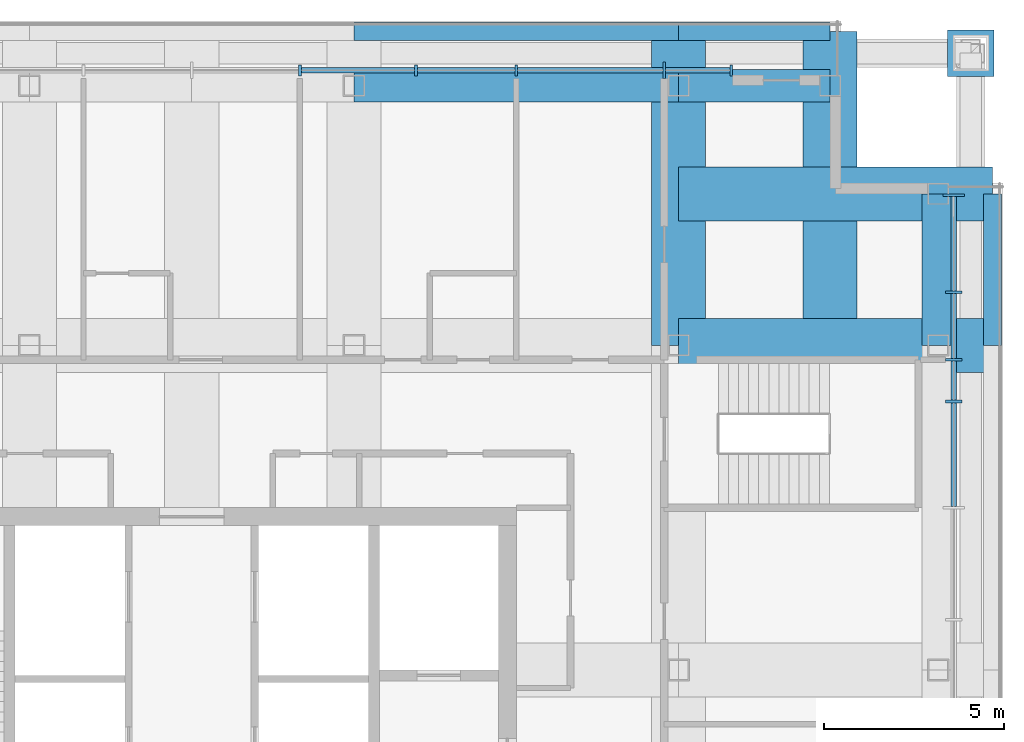
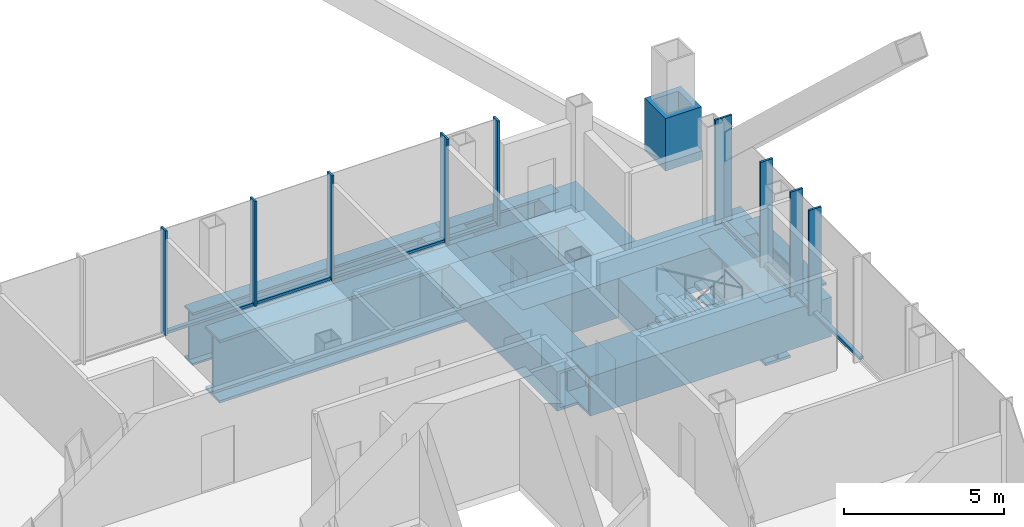
# One storey, part 10 of 19: 18 members, 10 beams, 2 elements without a shape of their own.
"""IFC4 building model written with IfcOpenShell, lengths in metres."""

from ifc_helpers import new_model, si_unit, direction, frame, origin, origin_2d, place, context, subcontext, project, spatial, rectangle, hollow_rectangle, i_section, extrude, material, layer, layer_set, material_profile, profile_set, type_object, element, aggregate, save


model = new_model("IFC4")

# Units and contexts
model_context = context("Model", 3, precision=1e-05, world=origin(), true_north=direction((0.0, 1.0)))
body_context = subcontext(model_context, "Body", "Model", "MODEL_VIEW")
ifc_project = project(units=[si_unit("LENGTHUNIT", "METRE"), si_unit("AREAUNIT", "SQUARE_METRE"), si_unit("VOLUMEUNIT", "CUBIC_METRE"), si_unit("PLANEANGLEUNIT", "RADIAN"), si_unit("MASSUNIT", "GRAM", prefix="KILO")], contexts=[model_context])

# Site, building, storey
site_placement = place(None, origin())
site = spatial("IfcSite", under=ifc_project, at=site_placement, CompositionType="ELEMENT")
building_placement = place(site_placement, origin())
building = spatial("IfcBuilding", under=site, at=building_placement, Name="Malebo Sky Hospital", CompositionType="ELEMENT")
storey_placement = place(building_placement, frame((0.0, 0.0, 250.0)))
storey = spatial("IfcBuildingStorey", under=building, at=storey_placement, Name="L60", CompositionType="ELEMENT", Elevation=250.0)

# Curtain wall, members
ifc_material_1 = material(Name="Anodised aluminium, natural silver", Category="aluminium")
ifc_layer_1 = layer(ifc_material_1, 0.25)
ifc_layer_set_1 = layer_set([ifc_layer_1], Name="WARD CURTAIN WALL NORTH AND SOUTH")
curtain_wall_type_1 = type_object("IfcCurtainWallType", Name="WARD CURTAIN WALL NORTH AND SOUTH", PredefinedType="NOTDEFINED", material=ifc_layer_set_1)
curtain_wall_1_placement = place(storey_placement, origin())
curtain_wall_1 = element("IfcCurtainWall", 1, at=curtain_wall_1_placement, inside=storey, type_object=curtain_wall_type_1, Name="NS curtain wall N", PredefinedType="NOTDEFINED")
ifc_material_profile_1 = material_profile(ifc_material_1, rectangle(XDim=0.14990234375, YDim=0.10009765625, at=origin_2d()), Name="ALUMINIUM TRANSOM 150x100")
ifc_profile_set_1 = profile_set([ifc_material_profile_1], Name="Anodised aluminium, natural silver")
member_type_1 = type_object("IfcMemberType", Name="ALUMINIUM TRANSOM 150x100", PredefinedType="USERDEFINED", material=ifc_profile_set_1)
member_1_placement = place(storey_placement, frame((63.03759765625, 83.125, 0.050048828125), z_axis=(1.0, 0.0, 0.0), x_axis=(0.0, 1.0, 0.0)))
member_1 = element("IfcMember", 2, at=member_1_placement, type_object=member_type_1, Name="Transom 10", ObjectType="TRANSOM", PredefinedType="USERDEFINED", context=body_context, shape_type="SweptSolid", body=[
    extrude(rectangle(XDim=0.14990234375, YDim=0.10009765625, at=origin_2d()), origin(), (0.0, 0.0, 1.0), 3.14306640625),
])
member_2_placement = place(storey_placement, frame((66.255615234375, 83.125, 0.050048828125), z_axis=(1.0, 0.0, 0.0), x_axis=(0.0, 1.0, 0.0)))
member_2 = element("IfcMember", 3, at=member_2_placement, type_object=member_type_1, Name="Transom 11", ObjectType="TRANSOM", PredefinedType="USERDEFINED", context=body_context, shape_type="SweptSolid", body=[
    extrude(rectangle(XDim=0.14990234375, YDim=0.10009765625, at=origin_2d()), origin(), (0.0, 0.0, 1.0), 2.706787109375),
])
member_3_placement = place(storey_placement, frame((69.03759765625, 83.125, 0.050048828125), z_axis=(1.0, 0.0, 0.0), x_axis=(0.0, 1.0, 0.0)))
member_3 = element("IfcMember", 4, at=member_3_placement, type_object=member_type_1, Name="Transom 12", ObjectType="TRANSOM", PredefinedType="USERDEFINED", context=body_context, shape_type="SweptSolid", body=[
    extrude(rectangle(XDim=0.14990234375, YDim=0.10009765625, at=origin_2d()), origin(), (0.0, 0.0, 1.0), 4.02490234375),
])
member_4_placement = place(storey_placement, frame((73.137451171875, 83.125, 0.050048828125), z_axis=(1.0, 0.0, 0.0), x_axis=(0.0, 1.0, 0.0)))
member_4 = element("IfcMember", 5, at=member_4_placement, type_object=member_type_1, Name="Transom 13", ObjectType="TRANSOM", PredefinedType="USERDEFINED", context=body_context, shape_type="SweptSolid", body=[
    extrude(rectangle(XDim=0.14990234375, YDim=0.10009765625, at=origin_2d()), origin(), (0.0, 0.0, 1.0), 1.78759765625),
])

ifc_layer_2 = layer(ifc_material_1, 0.25)
ifc_layer_set_2 = layer_set([ifc_layer_2], Name="WARD CURTAIN WALL EAST AND WEST")
curtain_wall_type_2 = type_object("IfcCurtainWallType", Name="WARD CURTAIN WALL EAST AND WEST", PredefinedType="NOTDEFINED", material=ifc_layer_set_2)
curtain_wall_2_placement = place(storey_placement, origin())
curtain_wall_2 = element("IfcCurtainWall", 6, at=curtain_wall_2_placement, inside=storey, type_object=curtain_wall_type_2, Name="EW curtain wall E", PredefinedType="NOTDEFINED")
member_5_placement = place(storey_placement, frame((81.125, 79.625, 0.050048828125), z_axis=(0.0, -1.0, 0.0), x_axis=(1.0, 0.0, 0.0)))
member_5 = element("IfcMember", 7, at=member_5_placement, type_object=member_type_1, Name="Transom 1", ObjectType="TRANSOM", PredefinedType="USERDEFINED", context=body_context, shape_type="SweptSolid", body=[
    extrude(rectangle(XDim=0.14990234375, YDim=0.10009765625, at=origin_2d()), origin(), (0.0, 0.0, 1.0), 2.61474609375),
])
member_6_placement = place(storey_placement, frame((81.125, 76.935302734375, 0.050048828125), z_axis=(0.0, -1.0, 0.0), x_axis=(1.0, 0.0, 0.0)))
member_6 = element("IfcMember", 8, at=member_6_placement, type_object=member_type_1, Name="Transom 2", ObjectType="TRANSOM", PredefinedType="USERDEFINED", context=body_context, shape_type="SweptSolid", body=[
    extrude(rectangle(XDim=0.14990234375, YDim=0.10009765625, at=origin_2d()), origin(), (0.0, 0.0, 1.0), 1.7978515625),
])
member_7_placement = place(storey_placement, frame((81.125, 75.0625, 0.050048828125), z_axis=(0.0, -1.0, 0.0), x_axis=(1.0, 0.0, 0.0)))
member_7 = element("IfcMember", 9, at=member_7_placement, type_object=member_type_1, Name="Transom 3", ObjectType="TRANSOM", PredefinedType="USERDEFINED", context=body_context, shape_type="SweptSolid", body=[
    extrude(rectangle(XDim=0.14990234375, YDim=0.10009765625, at=origin_2d()), origin(), (0.0, 0.0, 1.0), 1.07958984375),
])
member_8_placement = place(storey_placement, frame((81.125, 73.907958984375, 0.050048828125), z_axis=(0.0, -1.0, 0.0), x_axis=(1.0, 0.0, 0.0)))
member_8 = element("IfcMember", 10, at=member_8_placement, type_object=member_type_1, Name="Transom 4", ObjectType="TRANSOM", PredefinedType="USERDEFINED", context=body_context, shape_type="SweptSolid", body=[
    extrude(rectangle(XDim=0.14990234375, YDim=0.10009765625, at=origin_2d()), origin(), (0.0, 0.0, 1.0), 2.870361328125),
])

# Member
ifc_material_profile_2 = material_profile(ifc_material_1, rectangle(XDim=0.074951171875, YDim=0.300048828125, at=origin_2d()), Name="CW1 ALUMINIUM FIN MULLION 75x300")
ifc_profile_set_2 = profile_set([ifc_material_profile_2], Name="Anodised aluminium, natural silver")
member_type_2 = type_object("IfcMemberType", Name="CW1 ALUMINIUM FIN MULLION 75x300", PredefinedType="MULLION", material=ifc_profile_set_2)
member_9_placement = place(storey_placement, frame((63.0, 83.125, 0.0), z_axis=(0.0, 0.0, 1.0), x_axis=(1.0, 0.0, 0.0)))
member_9 = element("IfcMember", 11, at=member_9_placement, type_object=member_type_2, Name="Fin mullion 10", PredefinedType="MULLION", context=body_context, shape_type="SweptSolid", body=[
    extrude(rectangle(XDim=0.074951171875, YDim=0.300048828125, at=origin_2d()), origin(), (0.0, 0.0, 1.0), 4.0),
])

member_10_placement = place(storey_placement, frame((66.21826171875, 83.125, 0.0), z_axis=(0.0, 0.0, 1.0), x_axis=(1.0, 0.0, 0.0)))
member_10 = element("IfcMember", 12, at=member_10_placement, type_object=member_type_2, Name="Fin mullion 11", PredefinedType="MULLION", context=body_context, shape_type="SweptSolid", body=[
    extrude(rectangle(XDim=0.074951171875, YDim=0.300048828125, at=origin_2d()), origin(), (0.0, 0.0, 1.0), 4.0),
])

member_11_placement = place(storey_placement, frame((69.0, 83.125, 0.0), z_axis=(0.0, 0.0, 1.0), x_axis=(1.0, 0.0, 0.0)))
member_11 = element("IfcMember", 13, at=member_11_placement, type_object=member_type_2, Name="Fin mullion 12", PredefinedType="MULLION", context=body_context, shape_type="SweptSolid", body=[
    extrude(rectangle(XDim=0.074951171875, YDim=0.300048828125, at=origin_2d()), origin(), (0.0, 0.0, 1.0), 4.0),
])

member_12_placement = place(storey_placement, frame((74.96240234375, 83.125, 0.0), z_axis=(0.0, 0.0, 1.0), x_axis=(1.0, 0.0, 0.0)))
member_12 = element("IfcMember", 14, at=member_12_placement, type_object=member_type_2, Name="Fin mullion 14", PredefinedType="MULLION", context=body_context, shape_type="SweptSolid", body=[
    extrude(rectangle(XDim=0.074951171875, YDim=0.300048828125, at=origin_2d()), origin(), (0.0, 0.0, 1.0), 4.0),
])

ifc_material_profile_3 = material_profile(ifc_material_1, rectangle(XDim=0.074951171875, YDim=0.449951171875, at=origin_2d()), Name="CW1 ALUMINIUM FIN MULLION 75x450")
ifc_profile_set_3 = profile_set([ifc_material_profile_3], Name="Anodised aluminium, natural silver")
member_type_3 = type_object("IfcMemberType", Name="CW1 ALUMINIUM FIN MULLION 75x450", PredefinedType="MULLION", material=ifc_profile_set_3)
member_13_placement = place(storey_placement, frame((73.10009765625, 83.125, 0.0), z_axis=(0.0, 0.0, 1.0), x_axis=(1.0, 0.0, 0.0)))
member_13 = element("IfcMember", 15, at=member_13_placement, type_object=member_type_3, Name="Fin mullion 13", PredefinedType="MULLION", context=body_context, shape_type="SweptSolid", body=[
    extrude(rectangle(XDim=0.074951171875, YDim=0.449951171875, at=origin_2d()), origin(), (0.0, 0.0, 1.0), 4.0),
])

aggregate(curtain_wall_1, [member_9, member_10, member_11, member_13, member_12, member_1, member_2, member_3, member_4])

ifc_material_profile_4 = material_profile(ifc_material_1, rectangle(XDim=0.074951171875, YDim=0.449951171875, at=origin_2d()), Name="CW2 ALUMINIUM FIN MULLION 75x450")
ifc_profile_set_4 = profile_set([ifc_material_profile_4], Name="Anodised aluminium, natural silver")
member_type_4 = type_object("IfcMemberType", Name="CW2 ALUMINIUM FIN MULLION 75x450", PredefinedType="MULLION", material=ifc_profile_set_4)
member_14_placement = place(storey_placement, frame((81.125, 76.97265625, 0.0), z_axis=(0.0, 0.0, 1.0), x_axis=(0.0, -1.0, 0.0)))
member_14 = element("IfcMember", 16, at=member_14_placement, type_object=member_type_4, Name="Fin mullion 2", PredefinedType="MULLION", context=body_context, shape_type="SweptSolid", body=[
    extrude(rectangle(XDim=0.074951171875, YDim=0.449951171875, at=origin_2d()), origin(), (0.0, 0.0, 1.0), 4.0),
])

member_15_placement = place(storey_placement, frame((81.125, 75.10009765625, 0.0), z_axis=(0.0, 0.0, 1.0), x_axis=(0.0, -1.0, 0.0)))
member_15 = element("IfcMember", 17, at=member_15_placement, type_object=member_type_4, Name="Fin mullion 3", PredefinedType="MULLION", context=body_context, shape_type="SweptSolid", body=[
    extrude(rectangle(XDim=0.074951171875, YDim=0.449951171875, at=origin_2d()), origin(), (0.0, 0.0, 1.0), 4.0),
])

member_16_placement = place(storey_placement, frame((81.125, 73.945556640625, 0.0), z_axis=(0.0, 0.0, 1.0), x_axis=(0.0, -1.0, 0.0)))
member_16 = element("IfcMember", 18, at=member_16_placement, type_object=member_type_4, Name="Fin mullion 4", PredefinedType="MULLION", context=body_context, shape_type="SweptSolid", body=[
    extrude(rectangle(XDim=0.074951171875, YDim=0.449951171875, at=origin_2d()), origin(), (0.0, 0.0, 1.0), 4.0),
])

ifc_material_profile_5 = material_profile(ifc_material_1, rectangle(XDim=0.074951171875, YDim=0.60009765625, at=origin_2d()), Name="CW2 ALUMINIUM FIN MULLION 75x600")
ifc_profile_set_5 = profile_set([ifc_material_profile_5], Name="Anodised aluminium, natural silver")
member_type_5 = type_object("IfcMemberType", Name="CW2 ALUMINIUM FIN MULLION 75x600", PredefinedType="MULLION", material=ifc_profile_set_5)
member_17_placement = place(storey_placement, frame((81.125, 79.66259765625, 0.0), z_axis=(0.0, 0.0, 1.0), x_axis=(0.0, -1.0, 0.0)))
member_17 = element("IfcMember", 19, at=member_17_placement, type_object=member_type_5, Name="Fin mullion 1", PredefinedType="MULLION", context=body_context, shape_type="SweptSolid", body=[
    extrude(rectangle(XDim=0.074951171875, YDim=0.60009765625, at=origin_2d()), origin(), (0.0, 0.0, 1.0), 4.0),
])

aggregate(curtain_wall_2, [member_17, member_14, member_15, member_16, member_5, member_6, member_7, member_8])

ifc_material_2 = material(Name="Steel S460", Category="steel")
ifc_material_profile_6 = material_profile(ifc_material_2, hollow_rectangle(XDim=1.300048828125, YDim=1.300048828125, WallThickness=0.199951171875, at=origin_2d()), Name="BOX 1300x1300x200")
ifc_profile_set_6 = profile_set([ifc_material_profile_6], Name="Steel S460")
member_type_6 = type_object("IfcMemberType", Name="MEGA COLUMN NODE BOX 1300x1300x200", PredefinedType="MEMBER", material=ifc_profile_set_6)
member_18_placement = place(storey_placement, frame((81.60009765625, 83.60009765625, 0.0), z_axis=(0.0, 0.0, 1.0), x_axis=(1.0, 0.0, 0.0)))
element("IfcMember", 20, at=member_18_placement, inside=storey, type_object=member_type_6, Name="Mega column node NE L60", PredefinedType="MEMBER", context=body_context, shape_type="SweptSolid", body=[
    extrude(hollow_rectangle(XDim=1.300048828125, YDim=1.300048828125, WallThickness=0.199951171875, at=origin_2d()), origin(), (0.0, 0.0, 1.0), 2.0),
])

# Beams
ifc_material_profile_7 = material_profile(ifc_material_2, hollow_rectangle(XDim=1.5, YDim=1.5, WallThickness=0.10009765625, at=origin_2d()), Name="BOX 1500x1500x100")
ifc_profile_set_7 = profile_set([ifc_material_profile_7], Name="Steel S460")
beam_type_1 = type_object("IfcBeamType", Name="TRANSFER GIRDER BOX 1500x1500x100", PredefinedType="BEAM", material=ifc_profile_set_7)
for number, where, z_axis, x_axis, name in (
    (21, (73.5, 75.5, -1.0), (0.0, 1.0, 0.0), (-1.0, 0.0, 0.0), "Beam 027 L60"),
    (22, (73.5, 75.5, -1.0), (1.0, 0.0, 0.0), (0.0, 1.0, 0.0), "Beam 063 L60"),
    (23, (77.699951171875, 75.5, -1.0), (0.0, 1.0, 0.0), (-1.0, 0.0, 0.0), "Beam 029 L60"),
    (24, (73.5, 79.699951171875, -1.0), (1.0, 0.0, 0.0), (0.0, 1.0, 0.0), "Beam 065 L60"),
):
    element("IfcBeam", number, at=place(storey_placement, frame(where, z_axis=z_axis, x_axis=x_axis)), inside=storey, type_object=beam_type_1, Name=name, PredefinedType="BEAM", context=body_context, shape_type="SweptSolid", body=[
        extrude(hollow_rectangle(XDim=1.5, YDim=1.5, WallThickness=0.10009765625, at=origin_2d()), origin(), (0.0, 0.0, 1.0), 8.699951171875),
    ])
ifc_material_3 = material(Name="Steel S355", Category="steel")
ifc_material_profile_8 = material_profile(ifc_material_3, i_section(OverallWidth=0.5, OverallDepth=2.0, WebThickness=0.0400390625, FlangeThickness=0.080078125, at=origin_2d()), Name="PG 2000x500x40x80")
ifc_profile_set_8 = profile_set([ifc_material_profile_8], Name="Steel S355")
beam_type_2 = type_object("IfcBeamType", Name="TRANSFER GIRDER PG 2000x500x40x80", PredefinedType="BEAM", material=ifc_profile_set_8)
beam_1_placement = place(storey_placement, frame((82.199951171875, 75.5, -1.25), z_axis=(0.0, 1.0, 0.0), x_axis=(-1.0, 0.0, 0.0)))
element("IfcBeam", 25, at=beam_1_placement, inside=storey, type_object=beam_type_2, Name="Beam 035 L60", PredefinedType="BEAM", context=body_context, shape_type="SweptSolid", body=[
    extrude(i_section(OverallWidth=0.5, OverallDepth=2.0, WebThickness=0.0400390625, FlangeThickness=0.080078125, at=origin_2d()), origin(), (0.0, 0.0, 1.0), 4.199951171875),
])
beam_2_placement = place(storey_placement, frame((64.5, 84.199951171875, -1.25), z_axis=(1.0, 0.0, 0.0), x_axis=(0.0, 1.0, 0.0)))
element("IfcBeam", 26, at=beam_2_placement, inside=storey, type_object=beam_type_2, Name="Beam 070 L60", PredefinedType="BEAM", context=body_context, shape_type="SweptSolid", body=[
    extrude(i_section(OverallWidth=0.5, OverallDepth=2.0, WebThickness=0.0400390625, FlangeThickness=0.080078125, at=origin_2d()), origin(), (0.0, 0.0, 1.0), 9.0),
])
beam_3_placement = place(storey_placement, frame((73.5, 84.199951171875, -1.25), z_axis=(1.0, 0.0, 0.0), x_axis=(0.0, 1.0, 0.0)))
element("IfcBeam", 27, at=beam_3_placement, inside=storey, type_object=beam_type_2, Name="Beam 071 L60", PredefinedType="BEAM", context=body_context, shape_type="SweptSolid", body=[
    extrude(i_section(OverallWidth=0.5, OverallDepth=2.0, WebThickness=0.0400390625, FlangeThickness=0.080078125, at=origin_2d()), origin(), (0.0, 0.0, 1.0), 4.199951171875),
])
ifc_material_profile_9 = material_profile(ifc_material_3, i_section(OverallWidth=0.89990234375, OverallDepth=2.39990234375, WebThickness=0.050048828125, FlangeThickness=0.10009765625, at=origin_2d()), Name="PG 2400x900x50x100")
ifc_profile_set_9 = profile_set([ifc_material_profile_9], Name="Steel S355")
beam_type_3 = type_object("IfcBeamType", Name="TRANSFER GIRDER PG 2400x900x50x100", PredefinedType="BEAM", material=ifc_profile_set_9)
beam_4_placement = place(storey_placement, frame((80.699951171875, 75.5, -1.449951171875), z_axis=(0.0, 1.0, 0.0), x_axis=(-1.0, 0.0, 0.0)))
element("IfcBeam", 28, at=beam_4_placement, inside=storey, type_object=beam_type_3, Name="Beam 030f L60", PredefinedType="BEAM", context=body_context, shape_type="SweptSolid", body=[
    extrude(i_section(OverallWidth=0.89990234375, OverallDepth=2.39990234375, WebThickness=0.050048828125, FlangeThickness=0.10009765625, at=origin_2d()), origin(), (0.0, 0.0, 1.0), 4.199951171875),
])
beam_5_placement = place(storey_placement, frame((64.5, 82.699951171875, -1.449951171875), z_axis=(1.0, 0.0, 0.0), x_axis=(0.0, 1.0, 0.0)))
element("IfcBeam", 29, at=beam_5_placement, inside=storey, type_object=beam_type_3, Name="Beam 066e L60", PredefinedType="BEAM", context=body_context, shape_type="SweptSolid", body=[
    extrude(i_section(OverallWidth=0.89990234375, OverallDepth=2.39990234375, WebThickness=0.050048828125, FlangeThickness=0.10009765625, at=origin_2d()), origin(), (0.0, 0.0, 1.0), 9.0),
])
beam_6_placement = place(storey_placement, frame((73.5, 82.699951171875, -1.449951171875), z_axis=(1.0, 0.0, 0.0), x_axis=(0.0, 1.0, 0.0)))
element("IfcBeam", 30, at=beam_6_placement, inside=storey, type_object=beam_type_3, Name="Beam 066f L60", PredefinedType="BEAM", context=body_context, shape_type="SweptSolid", body=[
    extrude(i_section(OverallWidth=0.89990234375, OverallDepth=2.39990234375, WebThickness=0.050048828125, FlangeThickness=0.10009765625, at=origin_2d()), origin(), (0.0, 0.0, 1.0), 4.199951171875),
])

save(model, "model.ifc")
